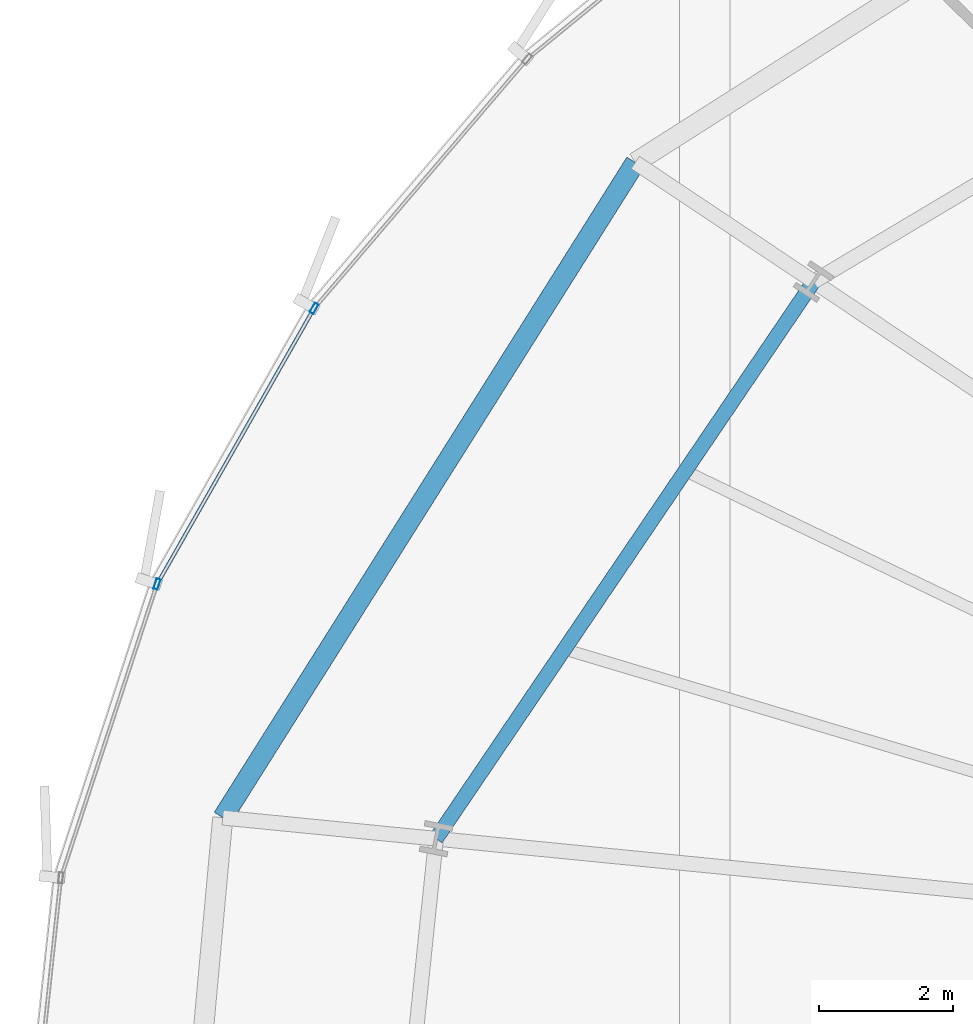
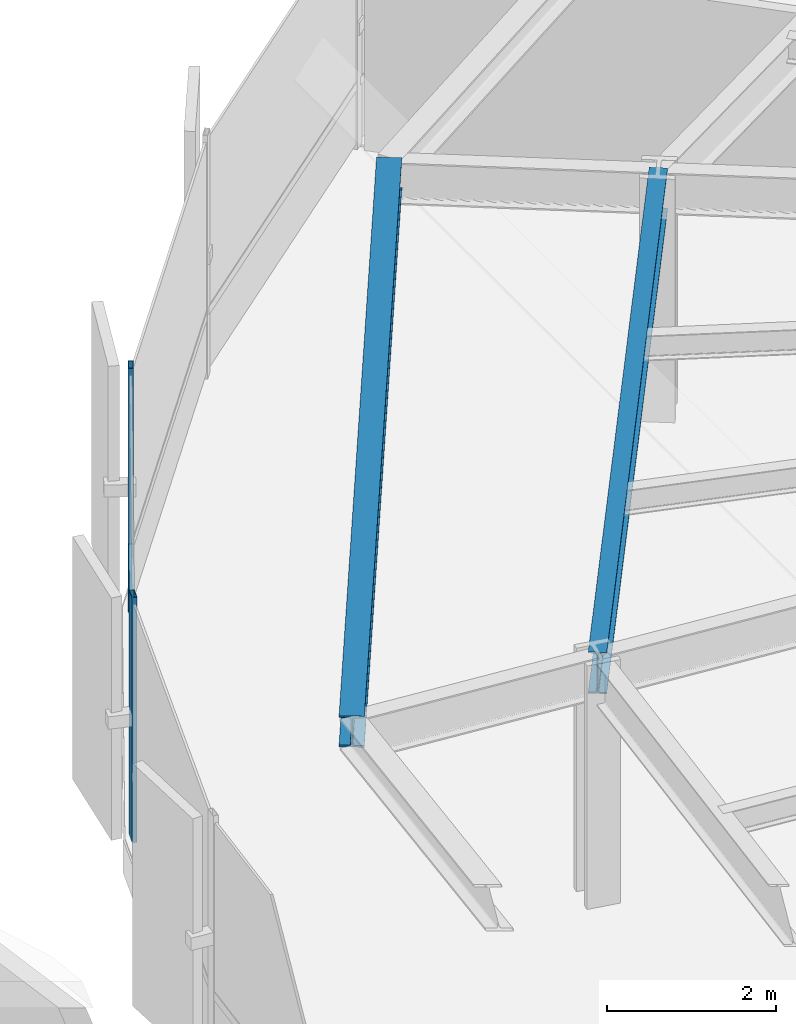
# One storey, part 15 of 38: 3 members, 2 beams, 1 element without a shape of its own.
"""IFC4 building model written with IfcOpenShell, lengths in metres."""

from ifc_helpers import new_model, si_unit, direction, frame, origin, origin_2d, place, context, subcontext, project, spatial, hollow_rectangle, i_section, extrude, source, transform, mapped, material, layer, layer_set, material_profile, profile_set, type_object, element, aggregate, save


model = new_model("IFC4")

# Units and contexts
model_context = context("Model", 3, precision=1e-05, world=origin(), true_north=direction((0.0, 1.0)))
body_context = subcontext(model_context, "Body", "Model", "MODEL_VIEW")
ifc_project = project(units=[si_unit("LENGTHUNIT", "METRE"), si_unit("AREAUNIT", "SQUARE_METRE"), si_unit("VOLUMEUNIT", "CUBIC_METRE"), si_unit("PLANEANGLEUNIT", "RADIAN"), si_unit("MASSUNIT", "GRAM", prefix="KILO"), si_unit("THERMODYNAMICTEMPERATUREUNIT", "KELVIN")], contexts=[model_context])

# Site, building, storey
site_placement = place(None, origin())
site = spatial("IfcSite", under=ifc_project, at=site_placement, CompositionType="ELEMENT")
building_placement = place(site_placement, origin())
building = spatial("IfcBuilding", under=site, at=building_placement, Name="Kethvar Cultural Tower", CompositionType="ELEMENT")
storey_placement = place(building_placement, frame((0.0, 0.0, 29.60009765625)))
storey = spatial("IfcBuildingStorey", under=building, at=storey_placement, Name="L06", CompositionType="ELEMENT", Elevation=29.60009765625)

# Beams
ifc_material_1 = material(Name="Steel S355J2", Category="steel")
ifc_material_profile_1 = material_profile(ifc_material_1, i_section(OverallWidth=0.219970703125, OverallDepth=0.60009765625, WebThickness=0.011962890625, FlangeThickness=0.01904296875, FilletRadius=0.02392578125, at=origin_2d()), Name="Steel S355J2 — IPE600")
ifc_profile_set_1 = profile_set([ifc_material_profile_1], Name="Steel S355J2 — IPE600")
beam_type_1 = type_object("IfcBeamType", Name="BM-IPE600", PredefinedType="BEAM", material=ifc_profile_set_1)
shared_shape_1 = source(origin(), body_context, "Body", "SweptSolid", [
    extrude(i_section(OverallWidth=0.219970703125, OverallDepth=0.60009765625, WebThickness=0.011962890625, FlangeThickness=0.01904296875, FilletRadius=0.02392578125, at=origin_2d()), origin(), (0.0, 0.0, 1.0), 10.048583984375),
])
beam_1_placement = place(storey_placement, frame((26.6845703125, 41.24072265625, 3.247802734375), z_axis=(-0.561025415443, -0.827798576483, 0.0), x_axis=(0.827798576483, -0.561025415443, 0.0)))
element("IfcBeam", 1, at=beam_1_placement, inside=storey, type_object=beam_type_1, Name="L06 Column Ring Tie Beam CR-07", PredefinedType="BEAM", context=body_context, shape_type="MappedRepresentation", body=[
    mapped(shared_shape_1, transform((0.0, 0.0, 0.0), scale=1.0)),
])
ifc_material_profile_2 = material_profile(ifc_material_1, i_section(OverallWidth=0.300048828125, OverallDepth=0.449951171875, WebThickness=0.013916015625, FlangeThickness=0.02587890625, FilletRadius=0.027099609375, at=origin_2d()), Name="Steel S355J2 — HEB450")
ifc_profile_set_2 = profile_set([ifc_material_profile_2], Name="Steel S355J2 — HEB450")
beam_type_2 = type_object("IfcBeamType", Name="BM-SP450", PredefinedType="SPANDREL", material=ifc_profile_set_2)
shared_shape_2 = source(origin(), body_context, "Body", "SweptSolid", [
    extrude(i_section(OverallWidth=0.300048828125, OverallDepth=0.449951171875, WebThickness=0.013916015625, FlangeThickness=0.02587890625, FilletRadius=0.027099609375, at=origin_2d()), origin(), (0.0, 0.0, 1.0), 11.560546875),
])
beam_2_placement = place(storey_placement, frame((24.02392578125, 43.0185546875, 3.322998046875), z_axis=(-0.532968413488, -0.846135137093, 0.0), x_axis=(0.846135137093, -0.532968413488, 0.0)))
element("IfcBeam", 2, at=beam_2_placement, inside=storey, type_object=beam_type_2, Name="L06 Perimeter Spandrel Beam SP-07", PredefinedType="SPANDREL", context=body_context, shape_type="MappedRepresentation", body=[
    mapped(shared_shape_2, transform((0.0, 0.0, 0.0), scale=1.0)),
])

# Curtain wall, members
ifc_material_2 = material(Name="Aluminium 6063-T6", Category="aluminium")
ifc_layer = layer(ifc_material_2, 0.179931640625, Name="Aluminium 6063-T6", Category="aluminium")
ifc_layer_set = layer_set([ifc_layer], Name="Aluminium 6063-T6 (180 mm)")
curtain_wall_type = type_object("IfcCurtainWallType", Name="CW-SYS-02-Z1", PredefinedType="NOTDEFINED", material=ifc_layer_set)
curtain_wall_placement = place(storey_placement, origin())
curtain_wall = element("IfcCurtainWall", 3, at=curtain_wall_placement, inside=storey, type_object=curtain_wall_type, Name="L06 Curtain Wall Run 03", PredefinedType="NOTDEFINED")
ifc_material_profile_3 = material_profile(ifc_material_2, hollow_rectangle(XDim=0.06494140625, YDim=0.159912109375, WallThickness=0.0048828125, at=origin_2d()), Name="Aluminium 6063-T6 — RHS160x65x5")
ifc_profile_set_3 = profile_set([ifc_material_profile_3], Name="Aluminium 6063-T6 — RHS160x65x5")
member_type_1 = type_object("IfcMemberType", Name="CW-SYS-02-Z1-MUL", PredefinedType="MULLION", material=ifc_profile_set_3)
shared_shape_3 = source(origin(), body_context, "Body", "SweptSolid", [
    extrude(hollow_rectangle(XDim=0.06494140625, YDim=0.159912109375, WallThickness=0.0048828125, at=origin_2d()), origin(), (0.0, 0.0, 1.0), 3.5498046875),
])
member_1_placement = place(storey_placement, frame((19.22607421875, 40.8408203125, 0.0), z_axis=(0.0, 0.0, 1.0), x_axis=(0.869218924729, -0.494427407101, 0.0)))
member_1 = element("IfcMember", 4, at=member_1_placement, type_object=member_type_1, Name="CW-L06-R03 Mullion 4", PredefinedType="MULLION", context=body_context, shape_type="MappedRepresentation", body=[
    mapped(shared_shape_3, transform((0.0, 0.0, 0.0), scale=1.0)),
])
member_2_placement = place(storey_placement, frame((16.881591796875, 36.7236328125, 0.0), z_axis=(0.0, 0.0, 1.0), x_axis=(0.950510309156, -0.310693019213, 0.0)))
member_2 = element("IfcMember", 5, at=member_2_placement, type_object=member_type_1, Name="CW-L06-R03 Mullion 5", PredefinedType="MULLION", context=body_context, shape_type="MappedRepresentation", body=[
    mapped(shared_shape_3, transform((0.0, 0.0, 0.0), scale=1.0)),
])
ifc_material_profile_4 = material_profile(ifc_material_2, hollow_rectangle(XDim=0.054931640625, YDim=0.1201171875, WallThickness=0.00390625, at=origin_2d()), Name="Aluminium 6063-T6 — RHS120x55x4")
ifc_profile_set_4 = profile_set([ifc_material_profile_4], Name="Aluminium 6063-T6 — RHS120x55x4")
member_type_2 = type_object("IfcMemberType", Name="CW-SYS-02-Z1-TRN", PredefinedType="USERDEFINED", material=ifc_profile_set_4)
shared_shape_4 = source(origin(), body_context, "Body", "SweptSolid", [
    extrude(hollow_rectangle(XDim=0.054931640625, YDim=0.1201171875, WallThickness=0.00390625, at=origin_2d()), origin(), (0.0, 0.0, 1.0), 4.66845703125),
])
member_3_placement = place(storey_placement, frame((19.202880859375, 40.800048828125, 0.949951171875), z_axis=(-0.494414578096, -0.869226221973, 0.0), x_axis=(0.869226221973, -0.494414578096, 0.0)))
member_3 = element("IfcMember", 6, at=member_3_placement, type_object=member_type_2, Name="CW-L06-R03 Transom 4", ObjectType="TRANSOM", PredefinedType="USERDEFINED", context=body_context, shape_type="MappedRepresentation", body=[
    mapped(shared_shape_4, transform((0.0, 0.0, 0.0), scale=1.0)),
])
aggregate(curtain_wall, [member_1, member_2, member_3])

save(model, "model.ifc")
